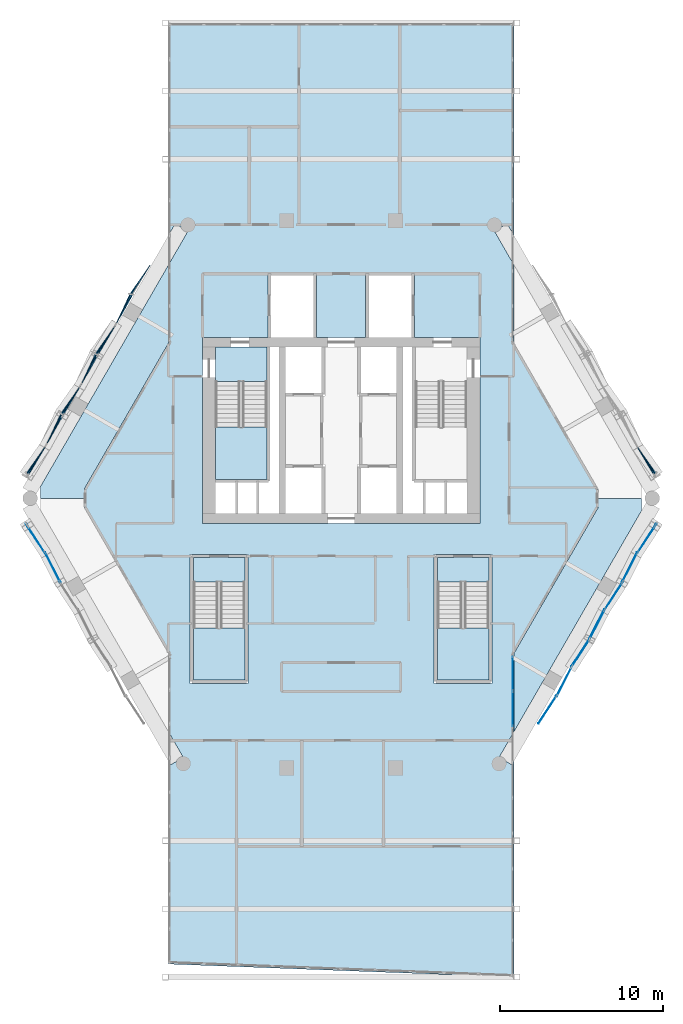
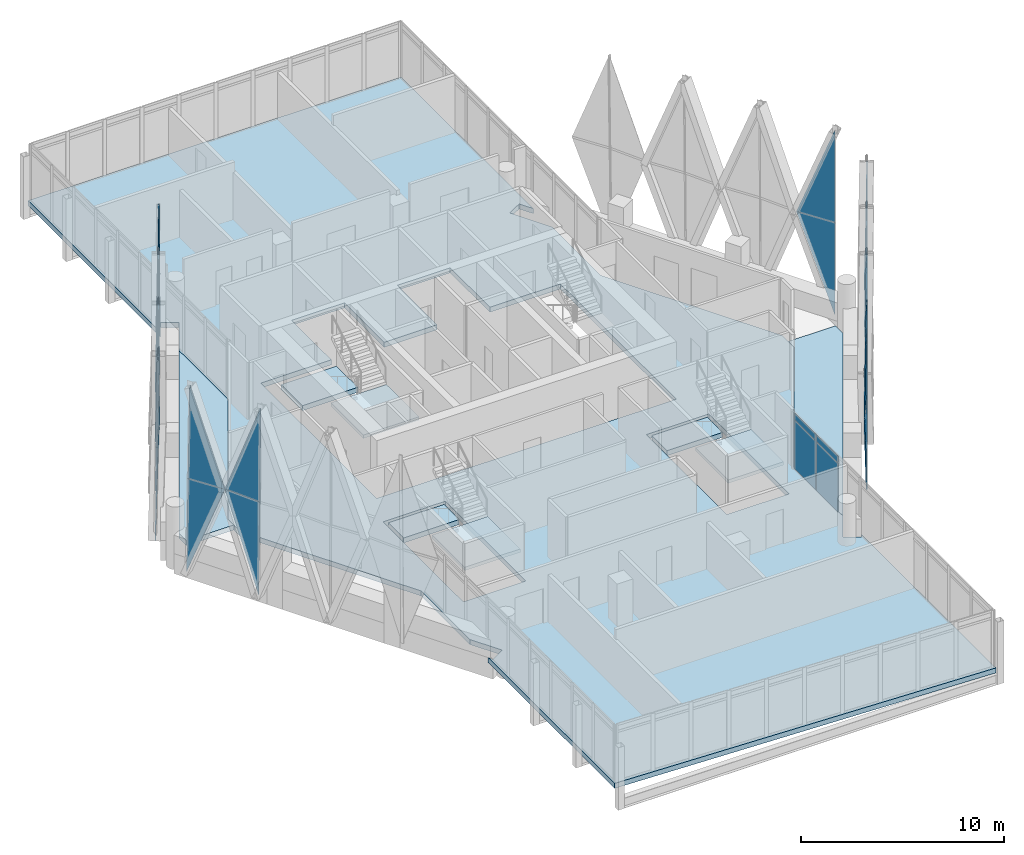
# One storey, part 26 of 37: 37 plates, 9 slabs, 18 elements without a shape of their own.
"""IFC4 building model written with IfcOpenShell, lengths in metres."""

from ifc_helpers import new_model, si_unit, direction, frame, origin, origin_2d, place, context, subcontext, project, spatial, polyline, rectangle, outline, extrude, material, layer, layer_set, type_object, element, aggregate, save


model = new_model("IFC4")

# Units and contexts
model_context = context("Model", 3, precision=1e-05, world=origin(), true_north=direction((0.0, 1.0)))
body_context = subcontext(model_context, "Body", "Model", "MODEL_VIEW")
ifc_project = project(units=[si_unit("LENGTHUNIT", "METRE"), si_unit("AREAUNIT", "SQUARE_METRE"), si_unit("VOLUMEUNIT", "CUBIC_METRE"), si_unit("PLANEANGLEUNIT", "RADIAN"), si_unit("MASSUNIT", "GRAM", prefix="KILO")], contexts=[model_context])

# Site, building, storey
site_placement = place(None, origin())
site = spatial("IfcSite", under=ifc_project, at=site_placement, CompositionType="ELEMENT")
building_placement = place(site_placement, origin())
building = spatial("IfcBuilding", under=site, at=building_placement, Name="Ostrander Bayou Hotel Tower", CompositionType="ELEMENT")
storey_placement = place(building_placement, frame((0.0, 0.0, 225.75)))
storey = spatial("IfcBuildingStorey", under=building, at=storey_placement, Name="L56", CompositionType="ELEMENT", Elevation=225.75)

# Curtain wall, plates
ifc_material_1 = material(Name="Aluminium and clear glass", Category="aluminium")
curtain_wall_type_1 = type_object("IfcCurtainWallType", Name="CW-BAR glazed wall", PredefinedType="NOTDEFINED", material=ifc_material_1)
curtain_wall_1_placement = place(storey_placement, origin())
curtain_wall_1 = element("IfcCurtainWall", 1, at=curtain_wall_1_placement, inside=storey, type_object=curtain_wall_type_1, Name="CW-BAR L56:SB5S:W", PredefinedType="NOTDEFINED")
ifc_material_2 = material(Name="Clear laminated glass", Category="glass")
ifc_layer_1 = layer(ifc_material_2, 0.028076171875)
ifc_layer_set_1 = layer_set([ifc_layer_1], Name="CW-BR glazing panel 28 mm")
plate_type_1 = type_object("IfcPlateType", Name="CW-BR glazing panel 28 mm", PredefinedType="CURTAIN_PANEL", material=ifc_layer_set_1)
plate_1_placement = place(storey_placement, frame((10.51220703125, -10.896484375, 0.06005859375), z_axis=(0.0, 0.0, 1.0), x_axis=(0.0, -1.0, 0.0)))
plate_1 = element("IfcPlate", 2, at=plate_1_placement, type_object=plate_type_1, Name="CW-BAR panel 1.1", PredefinedType="CURTAIN_PANEL", context=body_context, shape_type="SweptSolid", body=[
    extrude(rectangle(XDim=2.08837890625, YDim=0.028076171875, at=origin_2d()), origin(), (0.0, 0.0, 1.0), 2.909912109375),
])
plate_2_placement = place(storey_placement, frame((10.51220703125, -10.896484375, 3.02978515625), z_axis=(0.0, 0.0, 1.0), x_axis=(0.0, -1.0, 0.0)))
plate_2 = element("IfcPlate", 3, at=plate_2_placement, type_object=plate_type_1, Name="CW-BAR panel 1.2", PredefinedType="CURTAIN_PANEL", context=body_context, shape_type="SweptSolid", body=[
    extrude(rectangle(XDim=2.08837890625, YDim=0.028076171875, at=origin_2d()), origin(), (0.0, 0.0, 1.0), 0.360107421875),
])
plate_3_placement = place(storey_placement, frame((10.51220703125, -13.059814453125, 0.06005859375), z_axis=(0.0, 0.0, 1.0), x_axis=(0.0, -1.0, 0.0)))
plate_3 = element("IfcPlate", 4, at=plate_3_placement, type_object=plate_type_1, Name="CW-BAR panel 2.1", PredefinedType="CURTAIN_PANEL", context=body_context, shape_type="SweptSolid", body=[
    extrude(rectangle(XDim=2.118408203125, YDim=0.028076171875, at=origin_2d()), origin(), (0.0, 0.0, 1.0), 2.909912109375),
])
plate_4_placement = place(storey_placement, frame((10.51220703125, -13.059814453125, 3.02978515625), z_axis=(0.0, 0.0, 1.0), x_axis=(0.0, -1.0, 0.0)))
plate_4 = element("IfcPlate", 5, at=plate_4_placement, type_object=plate_type_1, Name="CW-BAR panel 2.2", PredefinedType="CURTAIN_PANEL", context=body_context, shape_type="SweptSolid", body=[
    extrude(rectangle(XDim=2.118408203125, YDim=0.028076171875, at=origin_2d()), origin(), (0.0, 0.0, 1.0), 0.360107421875),
])
aggregate(curtain_wall_1, [plate_1, plate_2, plate_3, plate_4])

# Curtain wall, plate
ifc_material_3 = material(Name="Aluminium and clear glass", Category="aluminium")
curtain_wall_type_2 = type_object("IfcCurtainWallType", Name="CW-LAT lattice glazing", PredefinedType="NOTDEFINED", material=ifc_material_3)
curtain_wall_2_placement = place(storey_placement, origin())
curtain_wall_2 = element("IfcCurtainWall", 6, at=curtain_wall_2_placement, inside=storey, type_object=curtain_wall_type_2, Name="CW-LAT L56 NW 1", PredefinedType="NOTDEFINED")
ifc_material_4 = material(Name="Clear laminated glass", Category="glass")
ifc_layer_2 = layer(ifc_material_4, 0.028076171875)
ifc_layer_set_2 = layer_set([ifc_layer_2], Name="CW-LA glazing panel 28 mm")
plate_type_2 = type_object("IfcPlateType", Name="CW-LA glazing panel 28 mm", PredefinedType="CURTAIN_PANEL", material=ifc_layer_set_2)
plate_5_placement = place(storey_placement, frame((-11.722412109375, 14.1240234375, 5.02490234375), z_axis=(-0.838771765296, 0.544294680984, 0.014325711009), x_axis=(-0.205884904706, -0.292697004289, -0.933777205598)))
plate_5 = element("IfcPlate", 7, at=plate_5_placement, type_object=plate_type_2, Name="CW-LAT panel 1", PredefinedType="CURTAIN_PANEL", context=body_context, shape_type="SweptSolid", body=[
    extrude(outline(polyline([(0.0, 0.0), (6.0239208735009795, 4.440892098500626e-16), (0.7603868765994949, 1.9857253735645446), (0.0, 0.0)])), origin(), (0.0, 0.0, -1.0), 0.028076171875),
])

curtain_wall_3_placement = place(storey_placement, origin())
curtain_wall_3 = element("IfcCurtainWall", 8, at=curtain_wall_3_placement, inside=storey, type_object=curtain_wall_type_2, Name="CW-LAT L56 NW 3", PredefinedType="NOTDEFINED")
plate_6_placement = place(storey_placement, frame((-13.845947265625, 10.446044921875, 5.02490234375), z_axis=(-0.890742566746, 0.454268376932, 0.014762164661), x_axis=(0.14703865134, 0.318746308031, -0.93636554087)))
plate_6 = element("IfcPlate", 9, at=plate_6_placement, type_object=plate_type_2, Name="CW-LAT panel 3", PredefinedType="CURTAIN_PANEL", context=body_context, shape_type="SweptSolid", body=[
    extrude(outline(polyline([(0.0, 0.0), (6.007269334980341, -2.220446049250313e-16), (0.7458458367594321, -1.9913106658993773), (0.0, 0.0)])), origin(), (0.0, 0.0, -1.0), 0.028076171875),
])

curtain_wall_4_placement = place(storey_placement, origin())
curtain_wall_4 = element("IfcCurtainWall", 10, at=curtain_wall_4_placement, inside=storey, type_object=curtain_wall_type_2, Name="CW-LAT L56 NW 4", PredefinedType="NOTDEFINED")
plate_7_placement = place(storey_placement, frame((-13.845947265625, 10.446044921875, 5.02490234375), z_axis=(-0.890742566746, 0.454268376932, 0.014762164661), x_axis=(0.174196750952, 0.311210443099, 0.934239558177)))
plate_7 = element("IfcPlate", 11, at=plate_7_placement, type_object=plate_type_2, Name="CW-LAT panel 4", PredefinedType="CURTAIN_PANEL", context=body_context, shape_type="SweptSolid", body=[
    extrude(outline(polyline([(0.0, 0.0), (6.020939651681322, 0.0), (0.7578072196106783, 1.9867894700349942), (0.0, 0.0)])), origin(), (0.0, 0.0, -1.0), 0.028076171875),
])

# Plate
plate_8_placement = place(storey_placement, frame((-13.845947265625, 10.446044921875, 5.02490234375), z_axis=(-0.838769626092, 0.544293292814, 0.014502611609), x_axis=(-0.20418216524, -0.289734938908, -0.935073958879)))
plate_8 = element("IfcPlate", 12, at=plate_8_placement, type_object=plate_type_2, Name="CW-LAT panel 5", PredefinedType="CURTAIN_PANEL", context=body_context, shape_type="SweptSolid", body=[
    extrude(outline(polyline([(0.0, 0.0), (6.015566946963314, -2.220446049250313e-16), (0.7531325949859649, 1.9884880577193549), (0.0, 0.0)])), origin(), (0.0, 0.0, -1.0), 0.028076171875),
])

# Curtain wall, plate
curtain_wall_5_placement = place(storey_placement, origin())
curtain_wall_5 = element("IfcCurtainWall", 13, at=curtain_wall_5_placement, inside=storey, type_object=curtain_wall_type_2, Name="CW-LAT L56 NW 2", PredefinedType="NOTDEFINED")
plate_9_placement = place(storey_placement, frame((-13.845947265625, 10.446044921875, 5.02490234375), z_axis=(-0.838769338489, 0.544293106184, 0.014526230469), x_axis=(-0.180732932323, -0.303481899839, 0.935539600254)))
plate_9 = element("IfcPlate", 14, at=plate_9_placement, type_object=plate_type_2, Name="CW-LAT panel 6", PredefinedType="CURTAIN_PANEL", context=body_context, shape_type="SweptSolid", body=[
    extrude(outline(polyline([(0.0, 0.0), (6.012572849371641, 0.0), (0.7505111309501409, -1.9894789528021466), (0.0, 0.0)])), origin(), (0.0, 0.0, -1.0), 0.028076171875),
])

# Plate
plate_10_placement = place(storey_placement, frame((-15.969482421875, 6.767822265625, 5.02490234375), z_axis=(-0.890769620863, 0.4542236327, 0.014504276767), x_axis=(0.148823515483, 0.321713664367, -0.935067847484)))
plate_10 = element("IfcPlate", 15, at=plate_10_placement, type_object=plate_type_2, Name="CW-LAT panel 7", PredefinedType="CURTAIN_PANEL", context=body_context, shape_type="SweptSolid", body=[
    extrude(outline(polyline([(0.0, 0.0), (6.015606263366849, 4.440892098500626e-16), (0.7532696987918127, -1.9887468279548202), (0.0, 0.0)])), origin(), (0.0, 0.0, -1.0), 0.028076171875),
])

plate_11_placement = place(storey_placement, frame((-15.969482421875, 6.767822265625, 5.02490234375), z_axis=(-0.890769365978, 0.454223502729, 0.014523987178), x_axis=(0.172449025991, 0.308272428849, 0.935536981122)))
plate_11 = element("IfcPlate", 16, at=plate_11_placement, type_object=plate_type_2, Name="CW-LAT panel 8", PredefinedType="CURTAIN_PANEL", context=body_context, shape_type="SweptSolid", body=[
    extrude(outline(polyline([(0.0, 0.0), (6.012589682189752, -4.440892098500626e-16), (0.7506286239530817, 1.9897451730612568), (0.0, 0.0)])), origin(), (0.0, 0.0, -1.0), 0.028076171875),
])

plate_12_placement = place(storey_placement, frame((-15.969482421875, 6.767822265625, 5.02490234375), z_axis=(-0.838766720021, 0.544291407011, 0.01473952645), x_axis=(-0.202513308805, -0.286721130568, -0.936364967864)))
plate_12 = element("IfcPlate", 17, at=plate_12_placement, type_object=plate_type_2, Name="CW-LAT panel 9", PredefinedType="CURTAIN_PANEL", context=body_context, shape_type="SweptSolid", body=[
    extrude(outline(polyline([(0.0, 0.0), (6.007273011112192, -2.220446049250313e-16), (0.7458252385185498, 1.9912403609086302), (0.0, 0.0)])), origin(), (0.0, 0.0, -1.0), 0.028076171875),
])

plate_13_placement = place(storey_placement, frame((-15.969482421875, 6.767822265625, 5.02490234375), z_axis=(-0.838767169539, 0.544291698711, 0.014703129524), x_axis=(-0.182469112527, -0.306426462971, 0.93424185614)))
plate_13 = element("IfcPlate", 18, at=plate_13_placement, type_object=plate_type_2, Name="CW-LAT panel 10", PredefinedType="CURTAIN_PANEL", context=body_context, shape_type="SweptSolid", body=[
    extrude(outline(polyline([(0.0, 0.0), (6.020924841923475, 0.0), (0.7577729006246983, -1.9867243624623963), (0.0, 0.0)])), origin(), (0.0, 0.0, -1.0), 0.028076171875),
])

plate_14_placement = place(storey_placement, frame((-18.093017578125, 3.08984375, 5.02490234375), z_axis=(-0.890748488507, 0.454271396961, 0.01430482877), x_axis=(0.1505637604, 0.324634110581, -0.933779014704)))
plate_14 = element("IfcPlate", 19, at=plate_14_placement, type_object=plate_type_2, Name="CW-LAT panel 11", PredefinedType="CURTAIN_PANEL", context=body_context, shape_type="SweptSolid", body=[
    extrude(outline(polyline([(0.0, 0.0), (6.023909202739014, 0.0), (0.7604045077880773, -1.9857968589137134), (0.0, 0.0)])), origin(), (0.0, 0.0, -1.0), 0.028076171875),
])

aggregate(curtain_wall_3, [plate_6, plate_10, plate_14])

plate_15_placement = place(storey_placement, frame((-18.093017578125, 3.08984375, 5.02490234375), z_axis=(-0.89074898046, 0.454271647851, 0.01426617569), x_axis=(0.17069626733, 0.305285272777, 0.9368370651)))
plate_15 = element("IfcPlate", 20, at=plate_15_placement, type_object=plate_type_2, Name="CW-LAT panel 12", PredefinedType="CURTAIN_PANEL", context=body_context, shape_type="SweptSolid", body=[
    extrude(outline(polyline([(0.0, 0.0), (6.004245785684517, 2.220446049250313e-16), (0.7432015530515225, 1.9922990819346889), (0.0, 0.0)])), origin(), (0.0, 0.0, -1.0), 0.028076171875),
])

aggregate(curtain_wall_4, [plate_7, plate_11, plate_15])

plate_16_placement = place(storey_placement, frame((-18.093017578125, 3.08984375, 5.02490234375), z_axis=(-0.838797489652, 0.544236882228, 0.014999579228), x_axis=(-0.200837108227, -0.283695133019, -0.937646803151)))
plate_16 = element("IfcPlate", 21, at=plate_16_placement, type_object=plate_type_2, Name="CW-LAT panel 13", PredefinedType="CURTAIN_PANEL", context=body_context, shape_type="SweptSolid", body=[
    extrude(outline(polyline([(0.0, 0.0), (5.999060606930599, -2.220446049250313e-16), (0.7385569011420556, 1.9941660331507836), (0.0, 0.0)])), origin(), (0.0, 0.0, -1.0), 0.028076171875),
])

aggregate(curtain_wall_2, [plate_5, plate_8, plate_12, plate_16])

plate_17_placement = place(storey_placement, frame((-18.093017578125, 3.08984375, 5.02490234375), z_axis=(-0.838798243384, 0.544237371272, 0.014939565119), x_axis=(-0.184154297571, -0.309434288047, 0.932918868963)))
plate_17 = element("IfcPlate", 22, at=plate_17_placement, type_object=plate_type_2, Name="CW-LAT panel 14", PredefinedType="CURTAIN_PANEL", context=body_context, shape_type="SweptSolid", body=[
    extrude(outline(polyline([(0.0, 0.0), (6.029463211795122, 4.440892098500626e-16), (0.7651640301630891, -1.9841089866591166), (0.0, 0.0)])), origin(), (0.0, 0.0, -1.0), 0.028076171875),
])

aggregate(curtain_wall_5, [plate_9, plate_13, plate_17])

# Curtain wall, plate
curtain_wall_6_placement = place(storey_placement, origin())
curtain_wall_6 = element("IfcCurtainWall", 23, at=curtain_wall_6_placement, inside=storey, type_object=curtain_wall_type_2, Name="CW-LAT L56 SW 3", PredefinedType="NOTDEFINED")
plate_18_placement = place(storey_placement, frame((-18.1494140625, -3.490478515625, 5.02490234375), z_axis=(0.83835490373, 0.545124079559, 0.000890661433), x_axis=(-0.191110402363, 0.295441081203, -0.936050950347)))
plate_18 = element("IfcPlate", 24, at=plate_18_placement, type_object=plate_type_2, Name="CW-LAT panel 1", PredefinedType="CURTAIN_PANEL", context=body_context, shape_type="SweptSolid", body=[
    extrude(outline(polyline([(0.0, 0.0), (6.009288274225504, 0.0), (0.7107146615922678, 1.8906916929774937), (0.0, 0.0)])), origin(), (0.0, 0.0, -1.0), 0.028076171875),
])
aggregate(curtain_wall_6, [plate_18])

curtain_wall_7_placement = place(storey_placement, origin())
curtain_wall_7 = element("IfcCurtainWall", 25, at=curtain_wall_7_placement, inside=storey, type_object=curtain_wall_type_2, Name="CW-LAT L56 SW 4", PredefinedType="NOTDEFINED")
plate_19_placement = place(storey_placement, frame((-18.1494140625, -3.490478515625, 5.02490234375), z_axis=(0.838354894158, 0.545124073335, 0.000903388455), x_axis=(-0.177270276133, 0.271058858641, 0.946098485546)))
plate_19 = element("IfcPlate", 26, at=plate_19_placement, type_object=plate_type_2, Name="CW-LAT panel 2", PredefinedType="CURTAIN_PANEL", context=body_context, shape_type="SweptSolid", body=[
    extrude(outline(polyline([(0.0, 0.0), (5.945469827863663, 4.440892098500626e-16), (0.654187790257062, -1.9109863273123895), (0.0, 0.0)])), origin(), (0.0, 0.0, -1.0), 0.028076171875),
])
aggregate(curtain_wall_7, [plate_19])

curtain_wall_8_placement = place(storey_placement, origin())
curtain_wall_8 = element("IfcCurtainWall", 27, at=curtain_wall_8_placement, inside=storey, type_object=curtain_wall_type_2, Name="CW-LAT L56 SW 1", PredefinedType="NOTDEFINED")
plate_20_placement = place(storey_placement, frame((-18.1494140625, -3.490478515625, 5.02490234375), z_axis=(-0.891287367807, -0.45343867173, 0.000446058065), x_axis=(0.14969686757, -0.295175191404, -0.943643181621)))
plate_20 = element("IfcPlate", 28, at=plate_20_placement, type_object=plate_type_2, Name="CW-LAT panel 3", PredefinedType="CURTAIN_PANEL", context=body_context, shape_type="SweptSolid", body=[
    extrude(outline(polyline([(0.0, 0.0), (5.960939589833785, 0.0), (0.6685985555973247, 1.9063038789589117), (0.0, 0.0)])), origin(), (0.0, 0.0, -1.0), 0.028076171875),
])
aggregate(curtain_wall_8, [plate_20])

curtain_wall_9_placement = place(storey_placement, origin())
curtain_wall_9 = element("IfcCurtainWall", 29, at=curtain_wall_9_placement, inside=storey, type_object=curtain_wall_type_2, Name="CW-LAT L56 SW 2", PredefinedType="NOTDEFINED")
plate_21_placement = place(storey_placement, frame((-18.1494140625, -3.490478515625, 5.02490234375), z_axis=(-0.89128735981, -0.453438667662, 0.000465738559), x_axis=(0.156803456144, -0.307251666987, 0.938620844258)))
plate_21 = element("IfcPlate", 30, at=plate_21_placement, type_object=plate_type_2, Name="CW-LAT panel 4", PredefinedType="CURTAIN_PANEL", context=body_context, shape_type="SweptSolid", body=[
    extrude(outline(polyline([(0.0, 0.0), (5.9928351627957115, 0.0), (0.6968524442097366, -1.8961580046186914), (0.0, 0.0)])), origin(), (0.0, 0.0, -1.0), 0.028076171875),
])
aggregate(curtain_wall_9, [plate_21])

curtain_wall_10_placement = place(storey_placement, origin())
curtain_wall_10 = element("IfcCurtainWall", 31, at=curtain_wall_10_placement, inside=storey, type_object=curtain_wall_type_2, Name="CW-LAT L56 SE 1", PredefinedType="NOTDEFINED")
plate_22_placement = place(storey_placement, frame((12.097412109375, -13.972412109375, 5.02490234375), z_axis=(0.838299908726, -0.545209182275, 0.000458903741), x_axis=(0.18082221017, 0.277233418038, -0.943633912188)))
plate_22 = element("IfcPlate", 32, at=plate_22_placement, type_object=plate_type_2, Name="CW-LAT panel 1", PredefinedType="CURTAIN_PANEL", context=body_context, shape_type="SweptSolid", body=[
    extrude(outline(polyline([(0.0, 0.0), (5.960998144878706, -2.220446049250313e-16), (0.668598627341295, 1.906133252717178), (0.0, 0.0)])), origin(), (0.0, 0.0, -1.0), 0.028076171875),
])

curtain_wall_11_placement = place(storey_placement, origin())
curtain_wall_11 = element("IfcCurtainWall", 33, at=curtain_wall_11_placement, inside=storey, type_object=curtain_wall_type_2, Name="CW-LAT L56 SE 2", PredefinedType="NOTDEFINED")
plate_23_placement = place(storey_placement, frame((12.097412109375, -13.972412109375, 5.02490234375), z_axis=(0.838299913552, -0.545209185414, 0.000446182792), x_axis=(0.187723558984, 0.289407153434, 0.938617794922)))
plate_23 = element("IfcPlate", 34, at=plate_23_placement, type_object=plate_type_2, Name="CW-LAT panel 2", PredefinedType="CURTAIN_PANEL", context=body_context, shape_type="SweptSolid", body=[
    extrude(outline(polyline([(0.0, 0.0), (5.992854632028463, -2.220446049250313e-16), (0.6968137184564144, -1.8960007234618286), (0.0, 0.0)])), origin(), (0.0, 0.0, -1.0), 0.028076171875),
])

curtain_wall_12_placement = place(storey_placement, origin())
curtain_wall_12 = element("IfcCurtainWall", 35, at=curtain_wall_12_placement, inside=storey, type_object=curtain_wall_type_2, Name="CW-LAT L56 SE 3", PredefinedType="NOTDEFINED")
plate_24_placement = place(storey_placement, frame((14.11474609375, -10.478515625, 5.02490234375), z_axis=(-0.891287375201, 0.453438675492, 0.000427054219), x_axis=(-0.156763718668, -0.307253629468, -0.938626839425)))
plate_24 = element("IfcPlate", 36, at=plate_24_placement, type_object=plate_type_2, Name="CW-LAT panel 3", PredefinedType="CURTAIN_PANEL", context=body_context, shape_type="SweptSolid", body=[
    extrude(outline(polyline([(0.0, 0.0), (5.992796885552678, 2.220446049250313e-16), (0.6968195775799155, 1.896170083031048), (0.0, 0.0)])), origin(), (0.0, 0.0, -1.0), 0.028076171875),
])

curtain_wall_13_placement = place(storey_placement, origin())
curtain_wall_13 = element("IfcCurtainWall", 37, at=curtain_wall_13_placement, inside=storey, type_object=curtain_wall_type_2, Name="CW-LAT L56 SE 4", PredefinedType="NOTDEFINED")
plate_25_placement = place(storey_placement, frame((14.11474609375, -10.478515625, 5.02490234375), z_axis=(-0.891287367807, 0.45343867173, 0.000446058065), x_axis=(-0.14969686757, -0.295175191404, 0.943643181621)))
plate_25 = element("IfcPlate", 38, at=plate_25_placement, type_object=plate_type_2, Name="CW-LAT panel 4", PredefinedType="CURTAIN_PANEL", context=body_context, shape_type="SweptSolid", body=[
    extrude(outline(polyline([(0.0, 0.0), (5.960939589833785, 0.0), (0.6685985555973247, -1.9063038789589117), (0.0, 0.0)])), origin(), (0.0, 0.0, -1.0), 0.028076171875),
])

# Plate
plate_26_placement = place(storey_placement, frame((14.11474609375, -10.478515625, 5.02490234375), z_axis=(0.838335918192, -0.545154004176, 0.0), x_axis=(0.184266374171, 0.283364184799, -0.941143263336)))
plate_26 = element("IfcPlate", 39, at=plate_26_placement, type_object=plate_type_2, Name="CW-LAT panel 5", PredefinedType="CURTAIN_PANEL", context=body_context, shape_type="SweptSolid", body=[
    extrude(outline(polyline([(0.0, 0.0), (5.976773376733787, 0.0), (0.6828425204678097, 1.9012945824029925), (0.0, 0.0)])), origin(), (0.0, 0.0, -1.0), 0.028076171875),
])

plate_27_placement = place(storey_placement, frame((14.11474609375, -10.478515625, 5.02490234375), z_axis=(-0.838335918192, 0.545154004176, 0.0), x_axis=(0.184266374171, 0.283364184799, 0.941143263336)))
plate_27 = element("IfcPlate", 40, at=plate_27_placement, type_object=plate_type_2, Name="CW-LAT panel 6", PredefinedType="CURTAIN_PANEL", context=body_context, shape_type="SweptSolid", body=[
    extrude(outline(polyline([(0.0, 0.0), (5.976773376733787, 0.0), (0.6828425204678097, 1.9012945824029925), (0.0, 0.0)])), origin(), (0.0, 0.0, -1.0), 0.028076171875),
])

plate_28_placement = place(storey_placement, frame((16.132080078125, -6.984619140625, 5.02490234375), z_axis=(-0.891262604373, 0.453487563277, 0.0), x_axis=(-0.153264830692, -0.301219312772, -0.94115716928)))
plate_28 = element("IfcPlate", 41, at=plate_28_placement, type_object=plate_type_2, Name="CW-LAT panel 7", PredefinedType="CURTAIN_PANEL", context=body_context, shape_type="SweptSolid", body=[
    extrude(outline(polyline([(0.0, 0.0), (5.9766850677089245, 4.440892098500626e-16), (0.6826759905117255, 1.9010767713466135), (0.0, 0.0)])), origin(), (0.0, 0.0, -1.0), 0.028076171875),
])

plate_29_placement = place(storey_placement, frame((16.132080078125, -6.984619140625, 5.02490234375), z_axis=(0.891262604373, -0.453487563277, 0.0), x_axis=(-0.153264830692, -0.301219312772, 0.94115716928)))
plate_29 = element("IfcPlate", 42, at=plate_29_placement, type_object=plate_type_2, Name="CW-LAT panel 8", PredefinedType="CURTAIN_PANEL", context=body_context, shape_type="SweptSolid", body=[
    extrude(outline(polyline([(0.0, 0.0), (5.9766850677089245, 4.440892098500626e-16), (0.6826759905117255, 1.9010767713466135), (0.0, 0.0)])), origin(), (0.0, 0.0, -1.0), 0.028076171875),
])

plate_30_placement = place(storey_placement, frame((16.132080078125, -6.984619140625, 5.02490234375), z_axis=(-0.838335834952, 0.545153950046, 0.000445628803), x_axis=(0.187721345598, 0.289444479269, -0.93860672799)))
plate_30 = element("IfcPlate", 43, at=plate_30_placement, type_object=plate_type_2, Name="CW-LAT panel 9", PredefinedType="CURTAIN_PANEL", context=body_context, shape_type="SweptSolid", body=[
    extrude(outline(polyline([(0.0, 0.0), (5.992925292628185, 0.0), (0.6969451520224259, -1.8961704701598532), (0.0, 0.0)])), origin(), (0.0, 0.0, -1.0), 0.028076171875),
])

plate_31_placement = place(storey_placement, frame((16.132080078125, -6.984619140625, 5.02490234375), z_axis=(-0.838335843557, 0.545153955641, 0.000421967611), x_axis=(0.180780539696, 0.277273279053, 0.943630184548)))
plate_31 = element("IfcPlate", 44, at=plate_31_placement, type_object=plate_type_2, Name="CW-LAT panel 10", PredefinedType="CURTAIN_PANEL", context=body_context, shape_type="SweptSolid", body=[
    extrude(outline(polyline([(0.0, 0.0), (5.961021692723846, -2.220446049250313e-16), (0.6686879275786053, 1.9063188223233887), (0.0, 0.0)])), origin(), (0.0, 0.0, -1.0), 0.028076171875),
])

plate_32_placement = place(storey_placement, frame((18.1494140625, -3.490478515625, 5.02490234375), z_axis=(0.891287367807, -0.45343867173, 0.000446058065), x_axis=(-0.14969686757, -0.295175191404, -0.943643181621)))
plate_32 = element("IfcPlate", 45, at=plate_32_placement, type_object=plate_type_2, Name="CW-LAT panel 11", PredefinedType="CURTAIN_PANEL", context=body_context, shape_type="SweptSolid", body=[
    extrude(outline(polyline([(0.0, 0.0), (5.960939589833785, 0.0), (0.6685985555973247, -1.9063038789589117), (0.0, 0.0)])), origin(), (0.0, 0.0, -1.0), 0.028076171875),
])

aggregate(curtain_wall_12, [plate_24, plate_28, plate_32])

plate_33_placement = place(storey_placement, frame((18.1494140625, -3.490478515625, 5.02490234375), z_axis=(0.89128735981, -0.453438667662, 0.000465738559), x_axis=(-0.156803456144, -0.307251666987, 0.938620844258)))
plate_33 = element("IfcPlate", 46, at=plate_33_placement, type_object=plate_type_2, Name="CW-LAT panel 12", PredefinedType="CURTAIN_PANEL", context=body_context, shape_type="SweptSolid", body=[
    extrude(outline(polyline([(0.0, 0.0), (5.9928351627957115, 0.0), (0.6968524442097366, 1.8961580046186914), (0.0, 0.0)])), origin(), (0.0, 0.0, -1.0), 0.028076171875),
])

aggregate(curtain_wall_13, [plate_25, plate_29, plate_33])

plate_34_placement = place(storey_placement, frame((18.1494140625, -3.490478515625, 5.02490234375), z_axis=(-0.83835490373, 0.545124079559, 0.000890661433), x_axis=(0.191110402363, 0.295441081203, -0.936050950347)))
plate_34 = element("IfcPlate", 47, at=plate_34_placement, type_object=plate_type_2, Name="CW-LAT panel 13", PredefinedType="CURTAIN_PANEL", context=body_context, shape_type="SweptSolid", body=[
    extrude(outline(polyline([(0.0, 0.0), (6.009288274225504, 0.0), (0.7107146615922678, -1.8906916929774937), (0.0, 0.0)])), origin(), (0.0, 0.0, -1.0), 0.028076171875),
])

aggregate(curtain_wall_10, [plate_22, plate_26, plate_30, plate_34])

plate_35_placement = place(storey_placement, frame((18.1494140625, -3.490478515625, 5.02490234375), z_axis=(-0.838354894158, 0.545124073335, 0.000903388455), x_axis=(0.177270276133, 0.271058858641, 0.946098485546)))
plate_35 = element("IfcPlate", 48, at=plate_35_placement, type_object=plate_type_2, Name="CW-LAT panel 14", PredefinedType="CURTAIN_PANEL", context=body_context, shape_type="SweptSolid", body=[
    extrude(outline(polyline([(0.0, 0.0), (5.945469827863663, -4.440892098500626e-16), (0.654187790257062, 1.9109863273123895), (0.0, 0.0)])), origin(), (0.0, 0.0, -1.0), 0.028076171875),
])

aggregate(curtain_wall_11, [plate_23, plate_27, plate_31, plate_35])

# Curtain wall, plate
curtain_wall_14_placement = place(storey_placement, origin())
curtain_wall_14 = element("IfcCurtainWall", 49, at=curtain_wall_14_placement, inside=storey, type_object=curtain_wall_type_2, Name="CW-LAT L56 NE 3", PredefinedType="NOTDEFINED")
plate_36_placement = place(storey_placement, frame((18.093017578125, 3.08984375, 5.02490234375), z_axis=(0.838797489652, 0.544236882228, 0.014999579228), x_axis=(0.200837108227, -0.283695133019, -0.937646803151)))
plate_36 = element("IfcPlate", 50, at=plate_36_placement, type_object=plate_type_2, Name="CW-LAT panel 1", PredefinedType="CURTAIN_PANEL", context=body_context, shape_type="SweptSolid", body=[
    extrude(outline(polyline([(0.0, 0.0), (5.999060606930599, 2.220446049250313e-16), (0.7385569011420556, -1.9941660331507836), (0.0, 0.0)])), origin(), (0.0, 0.0, -1.0), 0.028076171875),
])
aggregate(curtain_wall_14, [plate_36])

curtain_wall_15_placement = place(storey_placement, origin())
curtain_wall_15 = element("IfcCurtainWall", 51, at=curtain_wall_15_placement, inside=storey, type_object=curtain_wall_type_2, Name="CW-LAT L56 NE 4", PredefinedType="NOTDEFINED")
plate_37_placement = place(storey_placement, frame((18.093017578125, 3.08984375, 5.02490234375), z_axis=(0.838798243384, 0.544237371272, 0.014939565119), x_axis=(0.184154297571, -0.309434288047, 0.932918868963)))
plate_37 = element("IfcPlate", 52, at=plate_37_placement, type_object=plate_type_2, Name="CW-LAT panel 2", PredefinedType="CURTAIN_PANEL", context=body_context, shape_type="SweptSolid", body=[
    extrude(outline(polyline([(0.0, 0.0), (6.029463211795122, -4.440892098500626e-16), (0.7651640301630891, 1.9841089866591166), (0.0, 0.0)])), origin(), (0.0, 0.0, -1.0), 0.028076171875),
])
aggregate(curtain_wall_15, [plate_37])

# Slabs
ifc_material_5 = material(Name="Concrete f'c 40 MPa", Category="concrete")
ifc_layer_3 = layer(ifc_material_5, 0.300048828125)
ifc_layer_set_3 = layer_set([ifc_layer_3], Name="SL1 floor slab 300 mm f'c 40 MPa")
slab_type_1 = type_object("IfcSlabType", Name="SL1 floor slab 300 mm f'c 40 MPa", PredefinedType="FLOOR", material=ifc_layer_set_3)
slab_1_placement = place(storey_placement, frame((0.0, 0.0, -0.300048828125)))
element("IfcSlab", 53, at=slab_1_placement, inside=storey, type_object=slab_type_1, Name="SL1 L56 1", PredefinedType="FLOOR", context=body_context, shape_type="SweptSolid", body=[
    extrude(outline(polyline([(-10.456298828125, -16.489501953125), (-9.6767578125, -16.039306640625), (-10.587158203125, -14.46240234375), (-10.587158203125, -9.662353515625), (-15.724853515625, -0.763671875), (-15.724853515625, 0.436279296875), (-10.587158203125, 9.335205078125), (-10.587158203125, 14.135009765625), (-9.393310546875, 16.202880859375), (-10.172607421875, 16.653076171875), (-10.587158203125, 15.93505859375), (-10.587158203125, 28.966552734375), (10.587158203125, 28.966552734375), (10.587158203125, 15.93505859375), (10.172607421875, 16.653076171875), (9.393310546875, 16.202880859375), (10.587158203125, 14.135009765625), (10.587158203125, 9.335205078125), (15.724853515625, 0.436279296875), (15.724853515625, -0.763671875), (10.587158203125, -9.662353515625), (10.587158203125, -14.46240234375), (9.6767578125, -16.039306640625), (10.456298828125, -16.489501953125), (10.587158203125, -16.262451171875), (10.587158203125, -29.5), (-10.587158203125, -28.699951171875), (-10.587158203125, -16.262451171875), (-10.456298828125, -16.489501953125)]), holes=[polyline([(9.25, -3.60009765625), (5.699951171875, -3.60009765625), (5.699951171875, -11.5), (9.25, -11.5), (9.25, -3.60009765625)]), polyline([(-8.5, -1.699951171875), (8.5, -1.699951171875), (8.5, 9.699951171875), (4.5, 9.699951171875), (4.5, 13.60009765625), (1.5, 13.60009765625), (1.5, 9.699951171875), (-1.5, 9.699951171875), (-1.5, 13.60009765625), (-4.5, 13.60009765625), (-4.5, 9.699951171875), (-8.5, 9.699951171875), (-8.5, -1.699951171875)]), polyline([(-5.699951171875, -3.60009765625), (-9.25, -3.60009765625), (-9.25, -11.5), (-5.699951171875, -11.5), (-5.699951171875, -3.60009765625)])]), origin(), (0.0, 0.0, 1.0), 0.300048828125),
])
slab_2_placement = place(storey_placement, frame((0.0, 0.0, -0.300048828125)))
element("IfcSlab", 54, at=slab_2_placement, inside=storey, type_object=slab_type_1, Name="cslab:L56:002", PredefinedType="FLOOR", context=body_context, shape_type="SweptSolid", body=[
    extrude(outline(polyline([(-4.550048828125, 7.0), (-4.550048828125, 9.10009765625), (-7.699951171875, 9.10009765625), (-7.699951171875, 7.0), (-4.550048828125, 7.0)])), origin(), (0.0, 0.0, 1.0), 0.300048828125),
])
slab_3_placement = place(storey_placement, frame((0.0, 0.0, -0.300048828125)))
element("IfcSlab", 55, at=slab_3_placement, inside=storey, type_object=slab_type_1, Name="cslab:L56:004", PredefinedType="FLOOR", context=body_context, shape_type="SweptSolid", body=[
    extrude(outline(polyline([(9.050048828125, -5.300048828125), (9.050048828125, -3.800048828125), (5.89990234375, -3.800048828125), (5.89990234375, -5.300048828125), (9.050048828125, -5.300048828125)])), origin(), (0.0, 0.0, 1.0), 0.300048828125),
])
slab_4_placement = place(storey_placement, frame((0.0, 0.0, -0.300048828125)))
element("IfcSlab", 56, at=slab_4_placement, inside=storey, type_object=slab_type_1, Name="cslab:L56:005", PredefinedType="FLOOR", context=body_context, shape_type="SweptSolid", body=[
    extrude(outline(polyline([(-5.89990234375, -5.300048828125), (-5.89990234375, -3.800048828125), (-9.050048828125, -3.800048828125), (-9.050048828125, -5.300048828125), (-5.89990234375, -5.300048828125)])), origin(), (0.0, 0.0, 1.0), 0.300048828125),
])
ifc_material_6 = material(Name="Concrete f'c 40 MPa", Category="concrete")
ifc_layer_4 = layer(ifc_material_6, 0.300048828125)
ifc_layer_set_4 = layer_set([ifc_layer_4], Name="SL4 loggia slab 300 mm f'c 40 MPa")
slab_type_2 = type_object("IfcSlabType", Name="SL4 loggia slab 300 mm f'c 40 MPa", PredefinedType="FLOOR", material=ifc_layer_set_4)
slab_5_placement = place(storey_placement, frame((0.0, 0.0, -0.300048828125)))
element("IfcSlab", 57, at=slab_5_placement, inside=storey, type_object=slab_type_2, Name="SL4 LOGGIA L56 NW 1", PredefinedType="FLOOR", context=body_context, shape_type="SweptSolid", body=[
    extrude(outline(polyline([(-10.587158203125, 14.135009765625), (-10.587158203125, 9.335205078125), (-15.724853515625, 0.436279296875), (-15.724853515625, -0.163818359375), (-18.40966796875, -0.163818359375), (-18.40966796875, 0.586181640625), (-15.935791015625, 4.87109375), (-15.515869140625, 5.5986328125), (-12.6064453125, 10.6376953125), (-12.186279296875, 11.365234375), (-10.587158203125, 14.135009765625)])), origin(), (0.0, 0.0, 1.0), 0.300048828125),
])
slab_6_placement = place(storey_placement, frame((0.0, 0.0, -0.300048828125)))
element("IfcSlab", 58, at=slab_6_placement, inside=storey, type_object=slab_type_2, Name="SL4 LOGGIA L56 SE 1", PredefinedType="FLOOR", context=body_context, shape_type="SweptSolid", body=[
    extrude(outline(polyline([(12.328125, -11.447021484375), (10.587158203125, -14.46240234375), (10.587158203125, -9.662353515625), (15.724853515625, -0.763671875), (15.724853515625, -0.163818359375), (18.40966796875, -0.163818359375), (18.40966796875, -0.913818359375), (16.077392578125, -4.952880859375), (15.657470703125, -5.680419921875), (12.748046875, -10.719482421875), (12.328125, -11.447021484375)])), origin(), (0.0, 0.0, 1.0), 0.300048828125),
])

# Stair, slab
ifc_material_7 = material(Name="Concrete f'c 45 MPa", Category="concrete")
stair_type = type_object("IfcStairType", Name="ST1 exit stair 1500 mm f'c 45 MPa", PredefinedType="HALF_TURN_STAIR", material=ifc_material_7)
stair_1_placement = place(storey_placement, origin())
stair_1 = element("IfcStair", 59, at=stair_1_placement, inside=storey, type_object=stair_type, Name="L56 exit stair A", PredefinedType="HALF_TURN_STAIR")
ifc_material_8 = material(Name="Concrete f'c 45 MPa", Category="concrete")
ifc_layer_5 = layer(ifc_material_8, 0.199951171875)
ifc_layer_set_5 = layer_set([ifc_layer_5], Name="SL8 stair landing 200 mm f'c 45 MPa")
slab_type_3 = type_object("IfcSlabType", Name="SL8 stair landing 200 mm f'c 45 MPa", PredefinedType="LANDING", material=ifc_layer_set_5)
slab_7_placement = place(storey_placement, frame((0.0, 0.0, 1.675048828125)))
slab_7 = element("IfcSlab", 60, at=slab_7_placement, type_object=slab_type_3, Name="STA landing 1", PredefinedType="LANDING", context=body_context, shape_type="SweptSolid", body=[
    extrude(outline(polyline([(-7.699951171875, 4.199951171875), (-7.699951171875, 1.0), (-4.550048828125, 1.0), (-4.550048828125, 4.199951171875), (-7.699951171875, 4.199951171875)])), origin(), (0.0, 0.0, 1.0), 0.199951171875),
])
aggregate(stair_1, [slab_7])

stair_2_placement = place(storey_placement, origin())
stair_2 = element("IfcStair", 61, at=stair_2_placement, inside=storey, type_object=stair_type, Name="L56 exit stair C", PredefinedType="HALF_TURN_STAIR")
slab_8_placement = place(storey_placement, frame((0.0, 0.0, 1.675048828125)))
slab_8 = element("IfcSlab", 62, at=slab_8_placement, type_object=slab_type_3, Name="STC landing 1", PredefinedType="LANDING", context=body_context, shape_type="SweptSolid", body=[
    extrude(outline(polyline([(5.89990234375, -8.10009765625), (5.89990234375, -11.300048828125), (9.050048828125, -11.300048828125), (9.050048828125, -8.10009765625), (5.89990234375, -8.10009765625)])), origin(), (0.0, 0.0, 1.0), 0.199951171875),
])
aggregate(stair_2, [slab_8])

stair_3_placement = place(storey_placement, origin())
stair_3 = element("IfcStair", 63, at=stair_3_placement, inside=storey, type_object=stair_type, Name="L56 exit stair D", PredefinedType="HALF_TURN_STAIR")
slab_9_placement = place(storey_placement, frame((0.0, 0.0, 1.675048828125)))
slab_9 = element("IfcSlab", 64, at=slab_9_placement, type_object=slab_type_3, Name="STD landing 1", PredefinedType="LANDING", context=body_context, shape_type="SweptSolid", body=[
    extrude(outline(polyline([(-9.050048828125, -8.10009765625), (-9.050048828125, -11.300048828125), (-5.89990234375, -11.300048828125), (-5.89990234375, -8.10009765625), (-9.050048828125, -8.10009765625)])), origin(), (0.0, 0.0, 1.0), 0.199951171875),
])
aggregate(stair_3, [slab_9])

save(model, "model.ifc")
